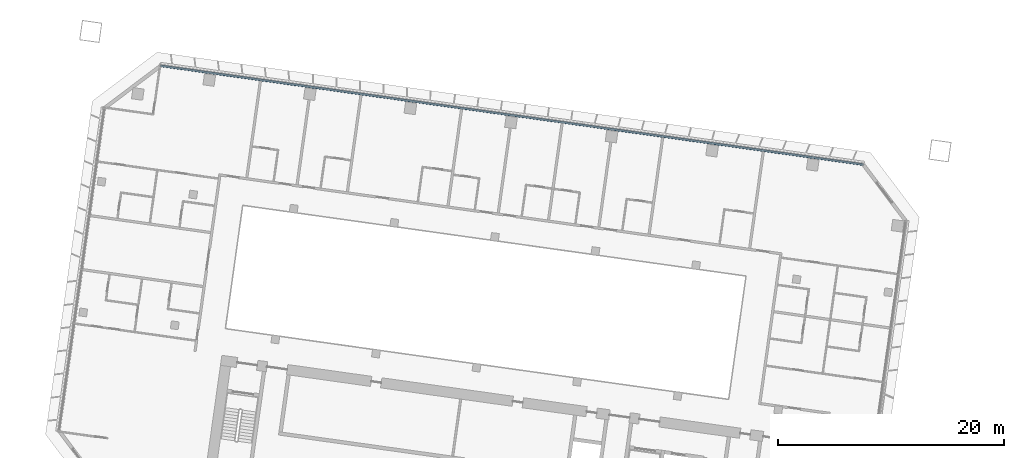
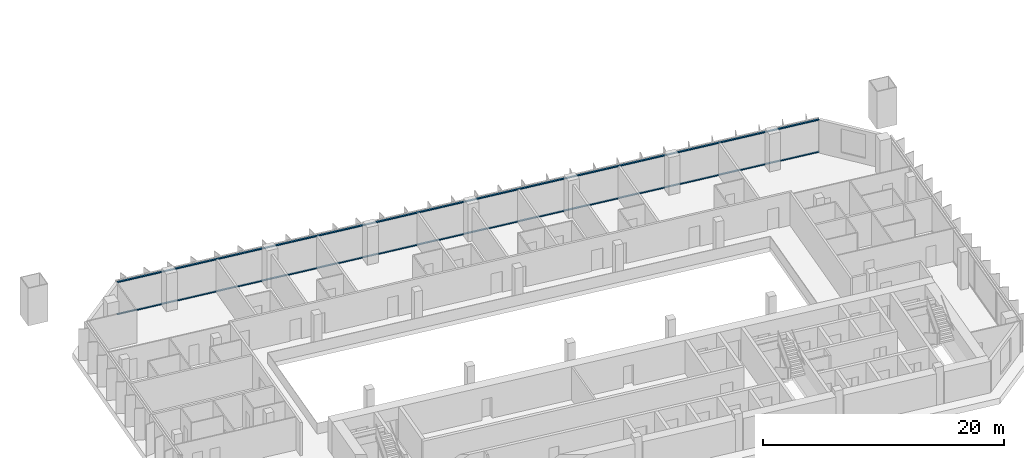
# One storey, part 4 of 24: 2 members, 1 element without a shape of its own.
"""IFC4 building model written with IfcOpenShell, lengths in metres."""

from ifc_helpers import new_model, si_unit, direction, frame, origin, origin_2d, place, context, subcontext, project, spatial, rectangle, extrude, material, material_profile, profile_set, type_object, element, aggregate, save


model = new_model("IFC4")

# Units and contexts
model_context = context("Model", 3, precision=1e-05, world=origin(), true_north=direction((0.0, 1.0)))
body_context = subcontext(model_context, "Body", "Model", "MODEL_VIEW")
ifc_project = project(units=[si_unit("LENGTHUNIT", "METRE"), si_unit("AREAUNIT", "SQUARE_METRE"), si_unit("VOLUMEUNIT", "CUBIC_METRE"), si_unit("PLANEANGLEUNIT", "RADIAN"), si_unit("MASSUNIT", "GRAM", prefix="KILO")], contexts=[model_context])

# Site, building, storey
site_placement = place(None, origin())
site = spatial("IfcSite", under=ifc_project, at=site_placement, CompositionType="ELEMENT")
building_placement = place(site_placement, origin())
building = spatial("IfcBuilding", under=site, at=building_placement, Name="Mirante Cascada Hotel Towers", CompositionType="ELEMENT")
storey_placement = place(building_placement, frame((0.0, 0.0, 50.9)))
storey = spatial("IfcBuildingStorey", under=building, at=storey_placement, Name="L09", CompositionType="ELEMENT", Elevation=50.9)

# Curtain wall, members
ifc_material_1 = material(Name="Aluminium mullion and transom frame with clear laminated glass", Category="aluminium")
curtain_wall_type = type_object("IfcCurtainWallType", Name="Ribbon curtain wall ECW1", PredefinedType="NOTDEFINED", material=ifc_material_1)
curtain_wall_placement = place(storey_placement, origin())
curtain_wall = element("IfcCurtainWall", 1, at=curtain_wall_placement, inside=storey, type_object=curtain_wall_type, Name="Front ribbon wall T1 L09", PredefinedType="NOTDEFINED")
ifc_material_2 = material(Name="Anodised aluminium extrusion", Category="aluminium")
ifc_material_profile = material_profile(ifc_material_2, rectangle(XDim=0.16, YDim=0.1, at=origin_2d()), Name="ECW1 TRANSOM 100x160")
ifc_profile_set = profile_set([ifc_material_profile], Name="Anodised aluminium extrusion")
member_type = type_object("IfcMemberType", Name="ECW1 transom 100x160", PredefinedType="USERDEFINED", material=ifc_profile_set)
member_1_placement = place(storey_placement, frame((-94.1582, 26.0521, 0.05), z_axis=(0.9902681, -0.1391728, 0.0), x_axis=(0.1391728, 0.9902681, 0.0)))
member_1 = element("IfcMember", 2, at=member_1_placement, type_object=member_type, Name="ECW1 sill transom", ObjectType="TRANSOM", PredefinedType="USERDEFINED", context=body_context, shape_type="SweptSolid", body=[
    extrude(rectangle(XDim=0.16, YDim=0.1, at=origin_2d()), origin(), (0.0, 0.0, 1.0), 62.8758),
])
member_2_placement = place(storey_placement, frame((-94.1582, 26.0521, 3.3), z_axis=(0.9902681, -0.1391728, 0.0), x_axis=(0.1391728, 0.9902681, 0.0)))
member_2 = element("IfcMember", 3, at=member_2_placement, type_object=member_type, Name="ECW1 head transom", ObjectType="TRANSOM", PredefinedType="USERDEFINED", context=body_context, shape_type="SweptSolid", body=[
    extrude(rectangle(XDim=0.16, YDim=0.1, at=origin_2d()), origin(), (0.0, 0.0, 1.0), 62.8758),
])
aggregate(curtain_wall, [member_1, member_2])

save(model, "model.ifc")
